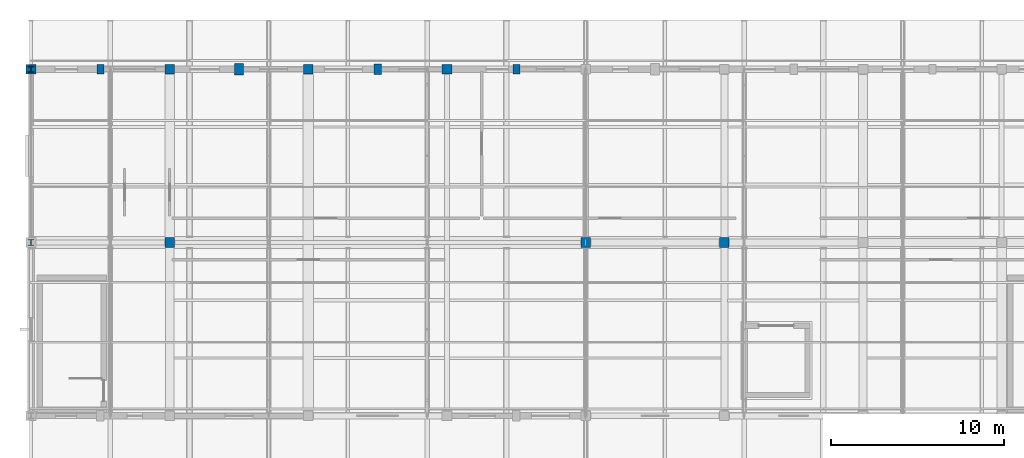
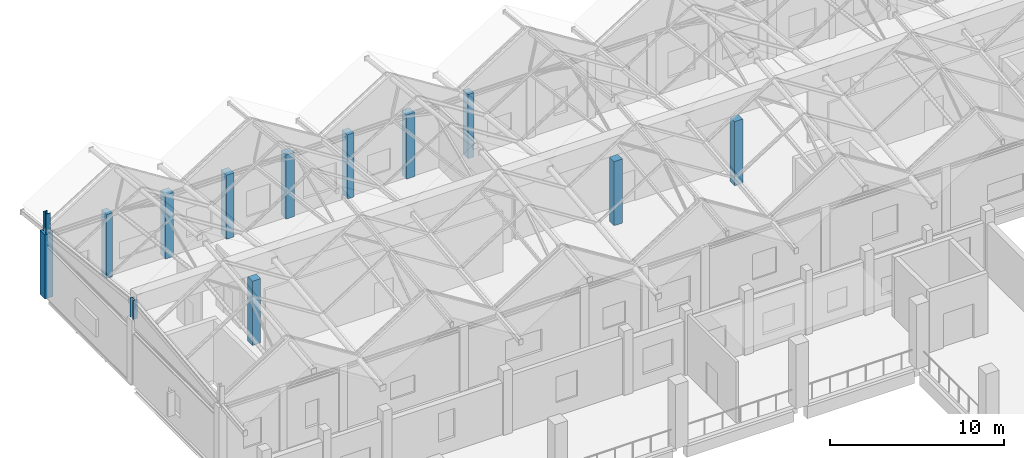
# One storey, part 5 of 183: 13 columns.
"""IFC4 building model written with IfcOpenShell, lengths in metres."""

from ifc_helpers import new_model, si_unit, direction, frame, origin, origin_2d, place, context, subcontext, project, spatial, rectangle, i_section, extrude, material, material_profile, profile_set, type_object, element, save


model = new_model("IFC4")

# Units and contexts
model_context = context("Model", 3, precision=1e-05, world=origin(), true_north=direction((0.0, 1.0)))
body_context = subcontext(model_context, "Body", "Model", "MODEL_VIEW")
ifc_project = project(units=[si_unit("LENGTHUNIT", "METRE"), si_unit("AREAUNIT", "SQUARE_METRE"), si_unit("VOLUMEUNIT", "CUBIC_METRE"), si_unit("PLANEANGLEUNIT", "RADIAN"), si_unit("MASSUNIT", "GRAM", prefix="KILO")], contexts=[model_context])

# Site, building, storey
site_placement = place(None, origin())
site = spatial("IfcSite", under=ifc_project, at=site_placement, CompositionType="ELEMENT")
building_placement = place(site_placement, origin())
building = spatial("IfcBuilding", under=site, at=building_placement, Name="Luwemba Playhouse", CompositionType="ELEMENT")
storey_placement = place(building_placement, frame((0.0, 0.0, 4.800048828125)))
storey = spatial("IfcBuildingStorey", under=building, at=storey_placement, Name="L01", CompositionType="ELEMENT", Elevation=4.800048828125)

# Columns
ifc_material_1 = material(Name="Concrete C40/50", Category="concrete")
ifc_material_profile_1 = material_profile(ifc_material_1, rectangle(XDim=0.550048828125, YDim=0.550048828125, at=origin_2d()))
ifc_profile_set_1 = profile_set([ifc_material_profile_1], Name="Concrete C40/50")
column_type_1 = type_object("IfcColumnType", Name="COL-C03", PredefinedType="COLUMN", material=ifc_profile_set_1)
for number, where, z_axis, x_axis, name in (
    (1, (4.0, 115.0, 0.0), (0.0, 0.0, 1.0), (1.0, 0.0, 0.0), "L01 column 015"),
    (2, (12.0, 105.0, 0.0), (0.0, 0.0, 1.0), (1.0, 0.0, 0.0), "L01 column 035"),
    (3, (12.0, 115.0, 0.0), (0.0, 0.0, 1.0), (1.0, 0.0, 0.0), "L01 column 036"),
    (4, (20.0, 115.0, 0.0), (0.0, 0.0, 1.0), (1.0, 0.0, 0.0), "L01 column 052"),
    (5, (28.0, 115.0, 0.0), (0.0, 0.0, 1.0), (1.0, 0.0, 0.0), "L01 column 068"),
    (6, (36.0, 105.0, 0.0), (0.0, 0.0, 1.0), (1.0, 0.0, 0.0), "L01 column 085"),
    (7, (44.0, 105.0, 0.0), (0.0, 0.0, 1.0), (1.0, 0.0, 0.0), "L01 column 105"),
):
    element("IfcColumn", number, at=place(storey_placement, frame(where, z_axis=z_axis, x_axis=x_axis)), inside=storey, type_object=column_type_1, Name=name, PredefinedType="COLUMN", context=body_context, shape_type="SweptSolid", body=[
        extrude(rectangle(XDim=0.550048828125, YDim=0.550048828125, at=origin_2d()), origin(), (0.0, 0.0, 1.0), 4.5),
    ])
ifc_material_profile_2 = material_profile(ifc_material_1, rectangle(XDim=0.39990234375, YDim=0.550048828125, at=origin_2d()))
ifc_profile_set_2 = profile_set([ifc_material_profile_2], Name="Concrete C40/50")
column_type_2 = type_object("IfcColumnType", Name="COL-PIL1", PredefinedType="PILASTER", material=ifc_profile_set_2)
for number, where, z_axis, x_axis, name in (
    (8, (8.0, 115.0, 0.0), (0.0, 0.0, 1.0), (1.0, 0.0, 0.0), "L01 column 021"),
    (9, (32.0, 115.0, 0.0), (0.0, 0.0, 1.0), (1.0, 0.0, 0.0), "L01 column 074"),
):
    element("IfcColumn", number, at=place(storey_placement, frame(where, z_axis=z_axis, x_axis=x_axis)), inside=storey, type_object=column_type_2, Name=name, PredefinedType="PILASTER", context=body_context, shape_type="SweptSolid", body=[
        extrude(rectangle(XDim=0.39990234375, YDim=0.550048828125, at=origin_2d()), origin(), (0.0, 0.0, 1.0), 4.5),
    ])
ifc_material_profile_3 = material_profile(ifc_material_1, rectangle(XDim=0.449951171875, YDim=0.60009765625, at=origin_2d()))
ifc_profile_set_3 = profile_set([ifc_material_profile_3], Name="Concrete C40/50")
column_type_3 = type_object("IfcColumnType", Name="COL-PIL2", PredefinedType="PILASTER", material=ifc_profile_set_3)
column_1_placement = place(storey_placement, frame((24.0, 115.0, 0.0), z_axis=(0.0, 0.0, 1.0), x_axis=(1.0, 0.0, 0.0)))
element("IfcColumn", 10, at=column_1_placement, inside=storey, type_object=column_type_3, Name="L01 column 056", PredefinedType="PILASTER", context=body_context, shape_type="SweptSolid", body=[
    extrude(rectangle(XDim=0.449951171875, YDim=0.60009765625, at=origin_2d()), origin(), (0.0, 0.0, 1.0), 4.5),
])
ifc_material_profile_4 = material_profile(ifc_material_1, rectangle(XDim=0.5, YDim=0.64990234375, at=origin_2d()))
ifc_profile_set_4 = profile_set([ifc_material_profile_4], Name="Concrete C40/50")
column_type_4 = type_object("IfcColumnType", Name="COL-PIL3", PredefinedType="PILASTER", material=ifc_profile_set_4)
column_2_placement = place(storey_placement, frame((16.0, 115.0, 0.0), z_axis=(0.0, 0.0, 1.0), x_axis=(1.0, 0.0, 0.0)))
element("IfcColumn", 11, at=column_2_placement, inside=storey, type_object=column_type_4, Name="L01 column 040", PredefinedType="PILASTER", context=body_context, shape_type="SweptSolid", body=[
    extrude(rectangle(XDim=0.5, YDim=0.64990234375, at=origin_2d()), origin(), (0.0, 0.0, 1.0), 4.5),
])
ifc_material_2 = material(Name="Steel S355", Category="steel")
ifc_material_profile_5 = material_profile(ifc_material_2, i_section(OverallWidth=0.300048828125, OverallDepth=0.340087890625, WebThickness=0.011962890625, FlangeThickness=0.021484375, FilletRadius=0.027099609375, at=origin_2d()))
ifc_profile_set_5 = profile_set([ifc_material_profile_5], Name="Steel S355")
column_type_5 = type_object("IfcColumnType", Name="COL-SC2", PredefinedType="COLUMN", material=ifc_profile_set_5)
for number, where, z_axis, x_axis, name in (
    (12, (4.0, 115.0, 4.5), (0.0, 0.0, 1.0), (1.0, 0.0, 0.0), "RF-V6W north corner apex stub"),
    (13, (4.0, 105.0, 4.5), (0.0, 0.0, 1.0), (1.0, 0.0, 0.0), "RF-V6W mid corner apex stub"),
):
    element("IfcColumn", number, at=place(storey_placement, frame(where, z_axis=z_axis, x_axis=x_axis)), inside=storey, type_object=column_type_5, Name=name, PredefinedType="COLUMN", context=body_context, shape_type="SweptSolid", body=[
        extrude(i_section(OverallWidth=0.300048828125, OverallDepth=0.340087890625, WebThickness=0.011962890625, FlangeThickness=0.021484375, FilletRadius=0.027099609375, at=origin_2d()), origin(), (0.0, 0.0, 1.0), 1.341552734375),
    ])

save(model, "model.ifc")
